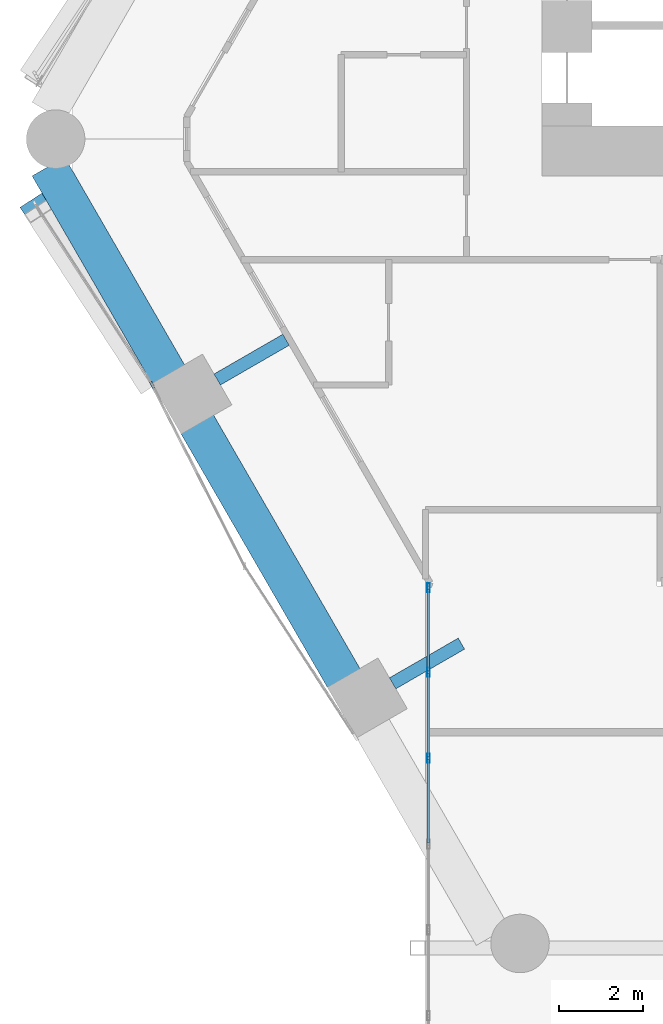
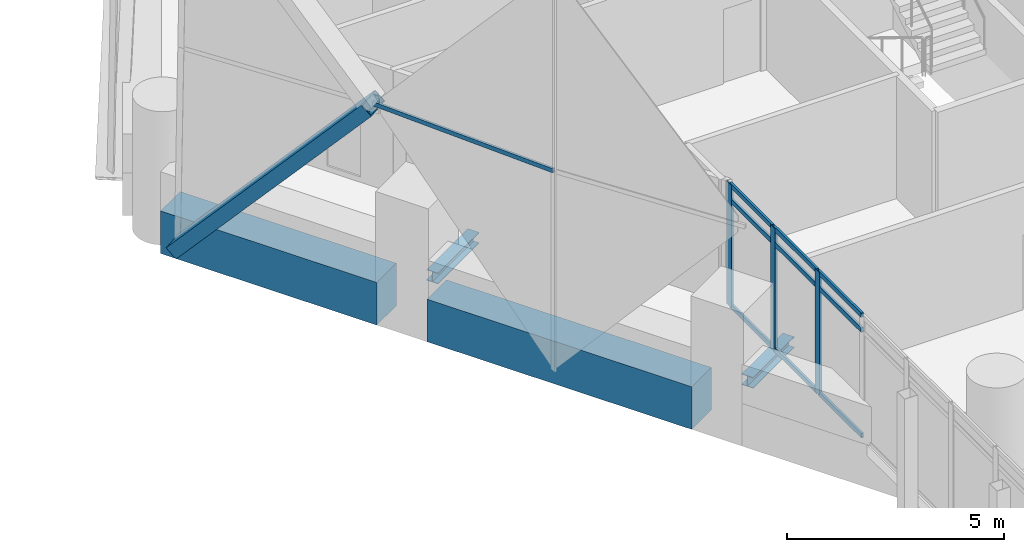
# One storey, part 8 of 35: 14 members, 4 beams, 2 elements without a shape of their own.
"""IFC4 building model written with IfcOpenShell, lengths in metres."""

import ifcopenshell
import ifcopenshell.guid

model = None  # the IFC model being written
_history = None  # IfcOwnerHistory: only IFC2X3 demands one
_inside = {}  # id of a spatial element -> (the spatial element, [elements in it])
_under = {}  # id of a project, library or spatial element -> (it, [spatial elements below it])
_declared = {}  # id of a project -> (the project, [libraries it declares])
_typed = {}  # id of a type object -> (the type object, [elements of that type])
_made_of = {}  # id of a material, layer set ... -> (it, [elements and type objects made of it])


def new_model(schema):
    """Start an empty IFC model of exactly this schema.

    Asked for "IFC4X3", IfcOpenShell would pick the latest addendum, in which some entities
    have other attributes; the version numbers below select the first issue.
    IFC2X3 requires an IfcOwnerHistory on every rooted entity: one is made here for all.
    """
    global model, _history
    if schema == "IFC4X3":
        model = ifcopenshell.file(schema_version=(4, 3, 0, 0))
    else:
        model = ifcopenshell.file(schema=schema)
    _inside.clear()
    _under.clear()
    _declared.clear()
    _typed.clear()
    _made_of.clear()
    _history = None
    if model.schema == "IFC2X3":
        org = make("IfcOrganization", Name="unknown")
        user = make(
            "IfcPersonAndOrganization",
            ThePerson=make("IfcPerson", FamilyName="unknown"),
            TheOrganization=org,
        )
        app = make(
            "IfcApplication",
            ApplicationDeveloper=org,
            Version="unknown",
            ApplicationFullName="unknown",
            ApplicationIdentifier="unknown",
        )
        _history = make(
            "IfcOwnerHistory",
            OwningUser=user,
            OwningApplication=app,
            ChangeAction="ADDED",
            CreationDate=0,
        )
    return model


def make(cls, **values):
    """One entity of the class cls with the attributes given. An attribute that is None is left unset."""
    return model.create_entity(
        cls, **{name: value for name, value in values.items() if value is not None}
    )


def rooted(cls, **values):
    """An entity with a GlobalId (a new one), such as an element, a storey or a relation."""
    return make(cls, GlobalId=ifcopenshell.guid.new(), OwnerHistory=_history, **values)


def si_unit(unit_type, name, prefix=None):
    """IfcSIUnit, for example si_unit("LENGTHUNIT", "METRE", prefix="MILLI")."""
    return make("IfcSIUnit", UnitType=unit_type, Prefix=prefix, Name=name)


def assignment(units):
    """IfcUnitAssignment: the units of a project."""
    return None if units is None else make("IfcUnitAssignment", Units=units)


def point(xyz):
    """IfcCartesianPoint."""
    return None if xyz is None else make("IfcCartesianPoint", Coordinates=xyz)


def direction(xyz):
    """IfcDirection."""
    return None if xyz is None else make("IfcDirection", DirectionRatios=xyz)


def frame(location, z_axis=None, x_axis=None):
    """IfcAxis2Placement3D, a coordinate frame: its origin and axes. An axis left out is left unset."""
    return make(
        "IfcAxis2Placement3D",
        Location=point(location),
        Axis=direction(z_axis),
        RefDirection=direction(x_axis),
    )


def frame_2d(location, x_axis=None):
    """IfcAxis2Placement2D, a coordinate frame in the plane: its origin and x axis."""
    return make(
        "IfcAxis2Placement2D", Location=point(location), RefDirection=direction(x_axis)
    )


def origin():
    """The frame at (0, 0, 0) with its axes left unset."""
    return frame((0.0, 0.0, 0.0))


def origin_2d():
    """The frame at (0, 0) in the plane with its x axis left unset."""
    return frame_2d((0.0, 0.0))


def place(relative_to, where):
    """IfcLocalPlacement: puts the frame where relative to a parent placement (None: the world)."""
    return make(
        "IfcLocalPlacement", PlacementRelTo=relative_to, RelativePlacement=where
    )


def context(
    kind, dimensions, precision=None, world=None, true_north=None, identifier=None
):
    """IfcGeometricRepresentationContext, for example the 3D "Model" context."""
    return make(
        "IfcGeometricRepresentationContext",
        ContextIdentifier=identifier,
        ContextType=kind,
        CoordinateSpaceDimension=dimensions,
        Precision=precision,
        WorldCoordinateSystem=world,
        TrueNorth=true_north,
    )


def subcontext(parent, identifier, kind, view, scale=None):
    """IfcGeometricRepresentationSubContext, for example "Body" below "Model"."""
    return make(
        "IfcGeometricRepresentationSubContext",
        ContextIdentifier=identifier,
        ContextType=kind,
        ParentContext=parent,
        TargetScale=scale,
        TargetView=view,
    )


def project(units=None, contexts=None):
    """IfcProject with its units and contexts."""
    return rooted(
        "IfcProject",
        Name="project",
        RepresentationContexts=contexts,
        UnitsInContext=assignment(units),
    )


def spatial(cls, under=None, at=None, **own):
    """A site, building, storey or space (cls), placed at a placement, below another one or the project."""
    s = rooted(cls, ObjectPlacement=at, **own)
    if under is not None:
        _under.setdefault(under.id(), (under, []))[1].append(s)
    return s


def profile(cls, at=None, kind="AREA", **sizes):
    """A parametric profile (cls). Its sizes go by their IFC names, for example OverallWidth=200.0."""
    return make(cls, ProfileType=kind, Position=at, **sizes)


def rectangle(**sizes):
    """IfcRectangleProfileDef."""
    return profile("IfcRectangleProfileDef", **sizes)


def hollow_rectangle(**sizes):
    """IfcRectangleHollowProfileDef."""
    return profile("IfcRectangleHollowProfileDef", **sizes)


def i_section(**sizes):
    """IfcIShapeProfileDef."""
    return profile("IfcIShapeProfileDef", **sizes)


def extrude(swept, where, along, depth):
    """IfcExtrudedAreaSolid: the profile swept, set in the frame where, extruded along a direction by depth."""
    return make(
        "IfcExtrudedAreaSolid",
        SweptArea=swept,
        Position=where,
        ExtrudedDirection=direction(along),
        Depth=depth,
    )


def shape(context_of_items, identifier, shape_type, items):
    """IfcShapeRepresentation: the items that make up one representation, for example the "Body"."""
    return make(
        "IfcShapeRepresentation",
        ContextOfItems=context_of_items,
        RepresentationIdentifier=identifier,
        RepresentationType=shape_type,
        Items=items,
    )


def material(Name=None, Category=None):
    """IfcMaterial."""
    return make("IfcMaterial", Name=Name, Category=Category)


def material_profile(
    of_material, cross_section, Name=None, Category=None, Priority=None
):
    """IfcMaterialProfile: a cross section and its material."""
    return make(
        "IfcMaterialProfile",
        Name=Name,
        Material=of_material,
        Profile=cross_section,
        Priority=Priority,
        Category=Category,
    )


def profile_set(profiles, Name=None, composite=None):
    """IfcMaterialProfileSet."""
    return make(
        "IfcMaterialProfileSet",
        Name=Name,
        MaterialProfiles=profiles,
        CompositeProfile=composite,
    )


def made_of(thing, what):
    """Note that an element or type object is made of a material, layer set ...; save() writes the relation."""
    if what is not None:
        _made_of.setdefault(what.id(), (what, []))[1].append(thing)
    return thing


def type_object(cls, material=None, **own):
    """A type object (cls), such as IfcWallType, which elements share."""
    return made_of(rooted(cls, **own), material)


def element(
    cls,
    number,
    at=None,
    inside=None,
    cuts=None,
    type_object=None,
    material=None,
    context=None,
    identifier="Body",
    shape_type=None,
    held_by="IfcProductDefinitionShape",
    body=None,
    shapes=None,
    **own,
):
    """One element of the class cls, such as IfcWall. Its Tag is "e" and its number.

    at: its placement. inside: the storey or other place that contains it. cuts: it is an
    opening in that element (IfcRelVoidsElement). A single representation is given by context,
    identifier, shape_type and body (its items); several are given by shapes. held_by: the class
    of the entity that holds the representations. save() writes the other relations.
    """
    e = rooted(cls, Tag="e%d" % number, ObjectPlacement=at, **own)
    if body is not None:
        shapes = [shape(context, identifier, shape_type, body)]
    if shapes is not None:
        e.Representation = make(held_by, Representations=shapes)
    if inside is not None:
        _inside.setdefault(inside.id(), (inside, []))[1].append(e)
    if cuts is not None:
        rooted(
            "IfcRelVoidsElement", RelatingBuildingElement=cuts, RelatedOpeningElement=e
        )
    if type_object is not None:
        _typed.setdefault(type_object.id(), (type_object, []))[1].append(e)
    return made_of(e, material)


def aggregate(whole, parts):
    """IfcRelAggregates: a whole, such as a stair, and the parts it consists of."""
    return rooted("IfcRelAggregates", RelatingObject=whole, RelatedObjects=parts)


def save(model, path):
    """Write the relations noted so far, then the file.

    IfcRelAggregates (storeys below a building ...), IfcRelContainedInSpatialStructure (elements
    in a storey), IfcRelDefinesByType, IfcRelAssociatesMaterial and IfcRelDeclares: one each for
    every whole, place, type object, material and project.
    """
    for whole, parts in _under.values():
        aggregate(whole, parts)
    for where, things in _inside.values():
        rooted(
            "IfcRelContainedInSpatialStructure",
            RelatedElements=things,
            RelatingStructure=where,
        )
    for kind, things in _typed.values():
        rooted("IfcRelDefinesByType", RelatedObjects=things, RelatingType=kind)
    for what, things in _made_of.values():
        rooted("IfcRelAssociatesMaterial", RelatedObjects=things, RelatingMaterial=what)
    for by, libraries in _declared.values():
        rooted("IfcRelDeclares", RelatingContext=by, RelatedDefinitions=libraries)
    model.write(path)


model = new_model("IFC4")

# Units and contexts
model_context = context("Model", 3, precision=1e-05, world=origin(), true_north=direction((0.0, 1.0)))
body_context = subcontext(model_context, "Body", "Model", "MODEL_VIEW")
ifc_project = project(units=[si_unit("LENGTHUNIT", "METRE"), si_unit("AREAUNIT", "SQUARE_METRE"), si_unit("VOLUMEUNIT", "CUBIC_METRE"), si_unit("PLANEANGLEUNIT", "RADIAN"), si_unit("MASSUNIT", "GRAM", prefix="KILO")], contexts=[model_context])

# Site, building, storey
site_placement = place(None, origin())
site = spatial("IfcSite", under=ifc_project, at=site_placement, CompositionType="ELEMENT")
building_placement = place(site_placement, origin())
building = spatial("IfcBuilding", under=site, at=building_placement, Name="Ostrander Bayou Hotel Tower", CompositionType="ELEMENT")
storey_placement = place(building_placement, frame((0.0, 0.0, 69.25)))
storey = spatial("IfcBuildingStorey", under=building, at=storey_placement, Name="L17", CompositionType="ELEMENT", Elevation=69.25)

# Curtain wall, members
ifc_material_1 = material(Name="Aluminium and clear glass", Category="aluminium")
curtain_wall_type_1 = type_object("IfcCurtainWallType", Name="CW-BAR glazed wall", PredefinedType="NOTDEFINED", material=ifc_material_1)
curtain_wall_1_placement = place(storey_placement, origin())
curtain_wall_1 = element("IfcCurtainWall", 1, at=curtain_wall_1_placement, inside=storey, type_object=curtain_wall_type_1, Name="CW-BAR L17:SB1S:E", PredefinedType="NOTDEFINED")
ifc_material_2 = material(Name="Aluminium", Category="aluminium")
ifc_material_profile_1 = material_profile(ifc_material_2, hollow_rectangle(XDim=0.06005859375, YDim=0.219970703125, WallThickness=0.00390625, at=origin_2d()))
ifc_profile_set_1 = profile_set([ifc_material_profile_1], Name="Aluminium")
member_type_1 = type_object("IfcMemberType", Name="CW-BR mullion 60 x 220 mm", PredefinedType="MULLION", material=ifc_profile_set_1)
member_1_placement = place(storey_placement, frame((-14.712158203125, -11.547607421875, 0.0), z_axis=(0.0, 0.0, 1.0), x_axis=(1.0, 0.0, 0.0)))
member_1 = element("IfcMember", 2, at=member_1_placement, type_object=member_type_1, Name="CW-BAR mullion 1", PredefinedType="MULLION", context=body_context, shape_type="SweptSolid", body=[
    extrude(hollow_rectangle(XDim=0.06005859375, YDim=0.219970703125, WallThickness=0.00390625, at=origin_2d()), origin(), (0.0, 0.0, 1.0), 3.449951171875),
])
member_2_placement = place(storey_placement, frame((-14.712158203125, -13.571044921875, 0.0), z_axis=(0.0, 0.0, 1.0), x_axis=(1.0, 0.0, 0.0)))
member_2 = element("IfcMember", 3, at=member_2_placement, type_object=member_type_1, Name="CW-BAR mullion 2", PredefinedType="MULLION", context=body_context, shape_type="SweptSolid", body=[
    extrude(hollow_rectangle(XDim=0.06005859375, YDim=0.219970703125, WallThickness=0.00390625, at=origin_2d()), origin(), (0.0, 0.0, 1.0), 3.449951171875),
])
member_3_placement = place(storey_placement, frame((-14.712158203125, -15.62451171875, 0.0), z_axis=(0.0, 0.0, 1.0), x_axis=(1.0, 0.0, 0.0)))
member_3 = element("IfcMember", 4, at=member_3_placement, type_object=member_type_1, Name="CW-BAR mullion 3", PredefinedType="MULLION", context=body_context, shape_type="SweptSolid", body=[
    extrude(hollow_rectangle(XDim=0.06005859375, YDim=0.219970703125, WallThickness=0.00390625, at=origin_2d()), origin(), (0.0, 0.0, 1.0), 3.449951171875),
])
ifc_material_3 = material(Name="Aluminium", Category="aluminium")
ifc_material_profile_2 = material_profile(ifc_material_3, hollow_rectangle(XDim=0.06005859375, YDim=0.1298828125, WallThickness=0.00390625, at=origin_2d()))
ifc_profile_set_2 = profile_set([ifc_material_profile_2], Name="Aluminium")
member_type_2 = type_object("IfcMemberType", Name="CW-BR transom 60 x 130 mm", PredefinedType="USERDEFINED", material=ifc_profile_set_2)
member_4_placement = place(storey_placement, frame((-14.712158203125, -11.57763671875, 0.030029296875), z_axis=(0.0, -1.0, 0.0), x_axis=(1.0, 0.0, 0.0)))
member_4 = element("IfcMember", 5, at=member_4_placement, type_object=member_type_2, Name="CW-BAR transom 1.1", ObjectType="TRANSOM", PredefinedType="USERDEFINED", context=body_context, shape_type="SweptSolid", body=[
    extrude(hollow_rectangle(XDim=0.06005859375, YDim=0.1298828125, WallThickness=0.00390625, at=origin_2d()), origin(), (0.0, 0.0, 1.0), 1.96337890625),
])
member_5_placement = place(storey_placement, frame((-14.712158203125, -11.57763671875, 3.0), z_axis=(0.0, -1.0, 0.0), x_axis=(1.0, 0.0, 0.0)))
member_5 = element("IfcMember", 6, at=member_5_placement, type_object=member_type_2, Name="CW-BAR transom 1.2", ObjectType="TRANSOM", PredefinedType="USERDEFINED", context=body_context, shape_type="SweptSolid", body=[
    extrude(hollow_rectangle(XDim=0.06005859375, YDim=0.1298828125, WallThickness=0.00390625, at=origin_2d()), origin(), (0.0, 0.0, 1.0), 1.96337890625),
])
member_6_placement = place(storey_placement, frame((-14.712158203125, -11.57763671875, 3.419921875), z_axis=(0.0, -1.0, 0.0), x_axis=(1.0, 0.0, 0.0)))
member_6 = element("IfcMember", 7, at=member_6_placement, type_object=member_type_2, Name="CW-BAR transom 1.3", ObjectType="TRANSOM", PredefinedType="USERDEFINED", context=body_context, shape_type="SweptSolid", body=[
    extrude(hollow_rectangle(XDim=0.06005859375, YDim=0.1298828125, WallThickness=0.00390625, at=origin_2d()), origin(), (0.0, 0.0, 1.0), 1.96337890625),
])
member_7_placement = place(storey_placement, frame((-14.712158203125, -13.60107421875, 0.030029296875), z_axis=(0.0, -1.0, 0.0), x_axis=(1.0, 0.0, 0.0)))
member_7 = element("IfcMember", 8, at=member_7_placement, type_object=member_type_2, Name="CW-BAR transom 2.1", ObjectType="TRANSOM", PredefinedType="USERDEFINED", context=body_context, shape_type="SweptSolid", body=[
    extrude(hollow_rectangle(XDim=0.06005859375, YDim=0.1298828125, WallThickness=0.00390625, at=origin_2d()), origin(), (0.0, 0.0, 1.0), 1.993408203125),
])
member_8_placement = place(storey_placement, frame((-14.712158203125, -13.60107421875, 3.0), z_axis=(0.0, -1.0, 0.0), x_axis=(1.0, 0.0, 0.0)))
member_8 = element("IfcMember", 9, at=member_8_placement, type_object=member_type_2, Name="CW-BAR transom 2.2", ObjectType="TRANSOM", PredefinedType="USERDEFINED", context=body_context, shape_type="SweptSolid", body=[
    extrude(hollow_rectangle(XDim=0.06005859375, YDim=0.1298828125, WallThickness=0.00390625, at=origin_2d()), origin(), (0.0, 0.0, 1.0), 1.993408203125),
])
member_9_placement = place(storey_placement, frame((-14.712158203125, -13.60107421875, 3.419921875), z_axis=(0.0, -1.0, 0.0), x_axis=(1.0, 0.0, 0.0)))
member_9 = element("IfcMember", 10, at=member_9_placement, type_object=member_type_2, Name="CW-BAR transom 2.3", ObjectType="TRANSOM", PredefinedType="USERDEFINED", context=body_context, shape_type="SweptSolid", body=[
    extrude(hollow_rectangle(XDim=0.06005859375, YDim=0.1298828125, WallThickness=0.00390625, at=origin_2d()), origin(), (0.0, 0.0, 1.0), 1.993408203125),
])
member_10_placement = place(storey_placement, frame((-14.712158203125, -15.654541015625, 0.030029296875), z_axis=(0.0, -1.0, 0.0), x_axis=(1.0, 0.0, 0.0)))
member_10 = element("IfcMember", 11, at=member_10_placement, type_object=member_type_2, Name="CW-BAR transom 3.1", ObjectType="TRANSOM", PredefinedType="USERDEFINED", context=body_context, shape_type="SweptSolid", body=[
    extrude(hollow_rectangle(XDim=0.06005859375, YDim=0.1298828125, WallThickness=0.00390625, at=origin_2d()), origin(), (0.0, 0.0, 1.0), 1.993408203125),
])
member_11_placement = place(storey_placement, frame((-14.712158203125, -15.654541015625, 3.0), z_axis=(0.0, -1.0, 0.0), x_axis=(1.0, 0.0, 0.0)))
member_11 = element("IfcMember", 12, at=member_11_placement, type_object=member_type_2, Name="CW-BAR transom 3.2", ObjectType="TRANSOM", PredefinedType="USERDEFINED", context=body_context, shape_type="SweptSolid", body=[
    extrude(hollow_rectangle(XDim=0.06005859375, YDim=0.1298828125, WallThickness=0.00390625, at=origin_2d()), origin(), (0.0, 0.0, 1.0), 1.993408203125),
])
member_12_placement = place(storey_placement, frame((-14.712158203125, -15.654541015625, 3.419921875), z_axis=(0.0, -1.0, 0.0), x_axis=(1.0, 0.0, 0.0)))
member_12 = element("IfcMember", 13, at=member_12_placement, type_object=member_type_2, Name="CW-BAR transom 3.3", ObjectType="TRANSOM", PredefinedType="USERDEFINED", context=body_context, shape_type="SweptSolid", body=[
    extrude(hollow_rectangle(XDim=0.06005859375, YDim=0.1298828125, WallThickness=0.00390625, at=origin_2d()), origin(), (0.0, 0.0, 1.0), 1.993408203125),
])
aggregate(curtain_wall_1, [member_1, member_2, member_3, member_4, member_5, member_6, member_7, member_8, member_9, member_10, member_11, member_12])

# Curtain wall, member
ifc_material_4 = material(Name="Aluminium and clear glass", Category="aluminium")
curtain_wall_type_2 = type_object("IfcCurtainWallType", Name="CW-LAT lattice glazing", PredefinedType="NOTDEFINED", material=ifc_material_4)
curtain_wall_2_placement = place(storey_placement, origin())
curtain_wall_2 = element("IfcCurtainWall", 14, at=curtain_wall_2_placement, inside=storey, type_object=curtain_wall_type_2, Name="CW-LAT L17 SW 2", PredefinedType="NOTDEFINED")
ifc_material_5 = material(Name="Aluminium", Category="aluminium")
ifc_material_profile_3 = material_profile(ifc_material_5, hollow_rectangle(XDim=0.06005859375, YDim=0.1201171875, WallThickness=0.00390625, at=origin_2d()))
ifc_profile_set_3 = profile_set([ifc_material_profile_3], Name="Aluminium")
member_type_3 = type_object("IfcMemberType", Name="CW-LA transom 60 x 120 mm", PredefinedType="USERDEFINED", material=ifc_profile_set_3)
member_13_placement = place(storey_placement, frame((-19.11328125, -11.034912109375, 5.02490234375), z_axis=(-0.453558716694, 0.891226396888, 0.0), x_axis=(-0.891226396888, -0.453558716694, 0.0)))
member_13 = element("IfcMember", 15, at=member_13_placement, type_object=member_type_3, Name="CW-LAT transom 6", ObjectType="TRANSOM", PredefinedType="USERDEFINED", context=body_context, shape_type="SweptSolid", body=[
    extrude(hollow_rectangle(XDim=0.06005859375, YDim=0.1201171875, WallThickness=0.00390625, at=origin_2d()), origin(), (0.0, 0.0, 1.0), 4.96240234375),
])
aggregate(curtain_wall_2, [member_13])

# Beams
ifc_material_6 = material(Name="Steel ASTM A992", Category="steel")
ifc_material_profile_4 = material_profile(ifc_material_6, i_section(OverallWidth=0.3046875, OverallDepth=0.307861328125, WebThickness=0.010009765625, FlangeThickness=0.015380859375, at=origin_2d()))
ifc_profile_set_4 = profile_set([ifc_material_profile_4], Name="Steel ASTM A992")
beam_type_1 = type_object("IfcBeamType", Name="LB1 loggia bracket W12x65", PredefinedType="BEAM", material=ifc_profile_set_4)
beam_1_placement = place(storey_placement, frame((-19.7646484375, -6.566650390625, -0.453857421875), z_axis=(0.866044365799, 0.499967155389, 0.0), x_axis=(-0.499967155389, 0.866044365799, 0.0)))
element("IfcBeam", 16, at=beam_1_placement, inside=storey, type_object=beam_type_1, Name="LB1 L17 SW1", PredefinedType="BEAM", context=body_context, shape_type="SweptSolid", body=[
    extrude(i_section(OverallWidth=0.3046875, OverallDepth=0.307861328125, WebThickness=0.010009765625, FlangeThickness=0.015380859375, at=origin_2d()), origin(), (0.0, 0.0, 1.0), 1.900146484375),
])
beam_2_placement = place(storey_placement, frame((-15.569091796875, -13.833251953125, -0.453857421875), z_axis=(0.86601224135, 0.500022797313, 0.0), x_axis=(-0.500022797313, 0.86601224135, 0.0)))
element("IfcBeam", 17, at=beam_2_placement, inside=storey, type_object=beam_type_1, Name="LB1 L17 SW2", PredefinedType="BEAM", context=body_context, shape_type="SweptSolid", body=[
    extrude(i_section(OverallWidth=0.3046875, OverallDepth=0.307861328125, WebThickness=0.010009765625, FlangeThickness=0.015380859375, at=origin_2d()), origin(), (0.0, 0.0, 1.0), 1.89990234375),
])

# Member
ifc_material_7 = material(Name="Steel ASTM A572 Gr 50", Category="steel")
ifc_material_profile_5 = material_profile(ifc_material_7, hollow_rectangle(XDim=0.699951171875, YDim=0.35009765625, WallThickness=0.02490234375, at=origin_2d()))
ifc_profile_set_5 = profile_set([ifc_material_profile_5], Name="Steel ASTM A572 Gr 50")
member_type_4 = type_object("IfcMemberType", Name="LT1 lattice member box 700 x 350 x 25 mm", PredefinedType="BRACE", material=ifc_profile_set_5)
member_14_placement = place(storey_placement, frame((-21.364013671875, -6.6123046875, 5.02490234375), z_axis=(-0.36385682434, 0.560874659501, -0.743658407947), x_axis=(-0.838929712439, -0.544239779497, 0.0)))
element("IfcMember", 18, at=member_14_placement, inside=storey, type_object=member_type_4, Name="LT1 L17 SW 1", PredefinedType="BRACE", context=body_context, shape_type="SweptSolid", body=[
    extrude(hollow_rectangle(XDim=0.699951171875, YDim=0.35009765625, WallThickness=0.02490234375, at=origin_2d()), origin(), (0.0, 0.0, 1.0), 7.56396484375),
])

# Beams
ifc_material_8 = material(Name="Concrete f'c 70 MPa", Category="concrete")
ifc_material_profile_6 = material_profile(ifc_material_8, rectangle(XDim=0.89990234375, YDim=1.199951171875, at=origin_2d()))
ifc_profile_set_6 = profile_set([ifc_material_profile_6], Name="Concrete f'c 70 MPa")
beam_type_2 = type_object("IfcBeamType", Name="SP1 spandrel beam 900 x 1200 mm f'c 70 MPa", PredefinedType="SPANDREL", material=ifc_profile_set_6)
beam_3_placement = place(storey_placement, frame((-23.8017578125, -1.47412109375, -0.60009765625), z_axis=(0.499996461177, -0.866027446915, 0.0), x_axis=(0.866027446915, 0.499996461177, 0.0)))
element("IfcBeam", 19, at=beam_3_placement, inside=storey, type_object=beam_type_2, Name="SP1 L17 SW-1", PredefinedType="SPANDREL", context=body_context, shape_type="SweptSolid", body=[
    extrude(rectangle(XDim=0.89990234375, YDim=1.199951171875, at=origin_2d()), origin(), (0.0, 0.0, 1.0), 5.7587890625),
])
beam_4_placement = place(storey_placement, frame((-20.252197265625, -7.621826171875, -0.60009765625), z_axis=(0.499997206141, -0.866027016814, 0.0), x_axis=(0.866027016814, 0.499997206141, 0.0)))
element("IfcBeam", 20, at=beam_4_placement, inside=storey, type_object=beam_type_2, Name="SP1 L17 SW-2", PredefinedType="SPANDREL", context=body_context, shape_type="SweptSolid", body=[
    extrude(rectangle(XDim=0.89990234375, YDim=1.199951171875, at=origin_2d()), origin(), (0.0, 0.0, 1.0), 7.05078125),
])

save(model, "model.ifc")
